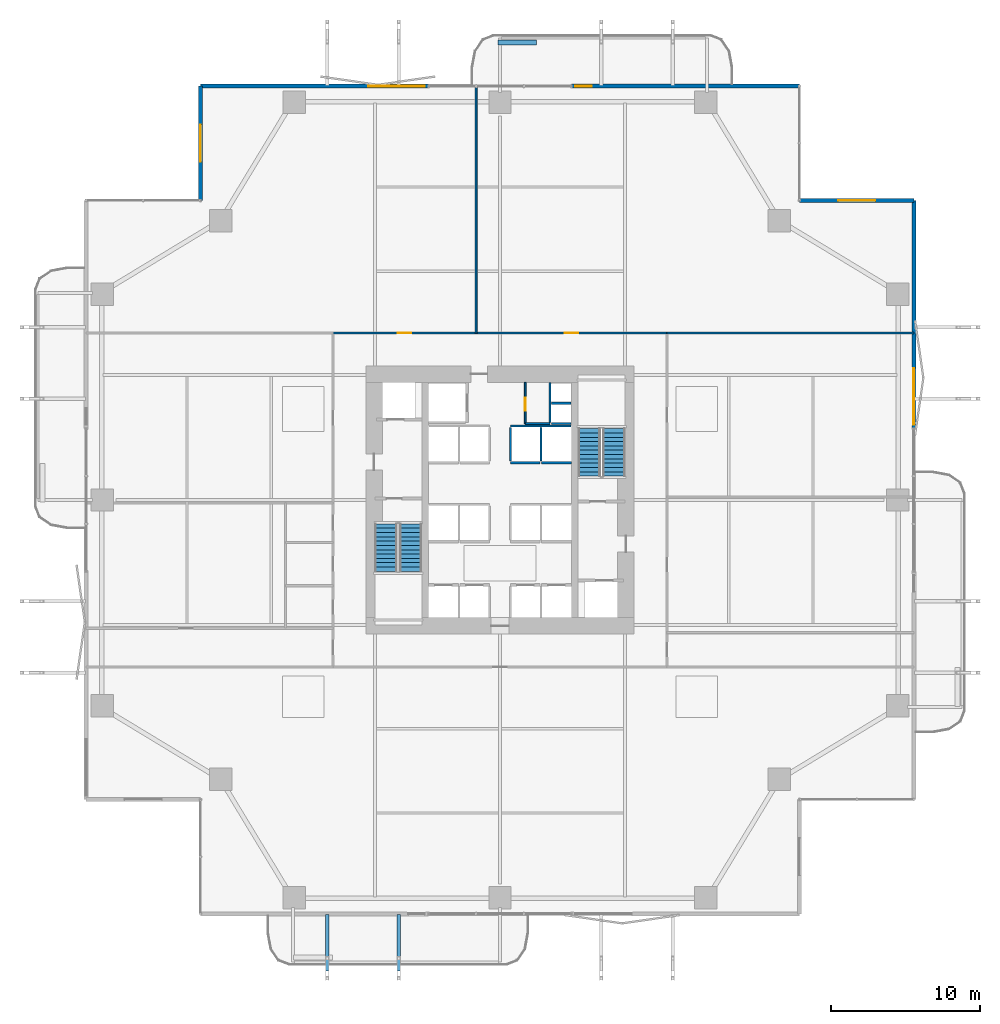
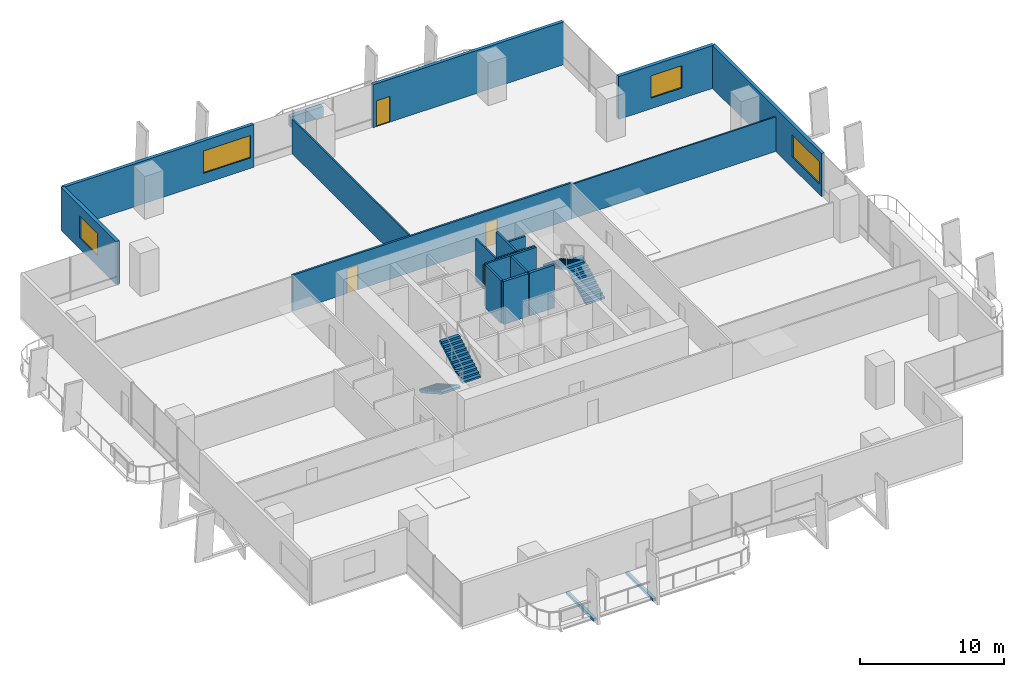
# One storey, part 26 of 30: 19 walls, 4 doors, 4 stair flights, 4 windows, 2 discrete accessories, 8 openings, 2 elements without a shape of their own.
"""IFC4 building model written with IfcOpenShell, lengths in metres."""

import ifcopenshell
import ifcopenshell.guid

model = None  # the IFC model being written
_history = None  # IfcOwnerHistory: only IFC2X3 demands one
_inside = {}  # id of a spatial element -> (the spatial element, [elements in it])
_under = {}  # id of a project, library or spatial element -> (it, [spatial elements below it])
_declared = {}  # id of a project -> (the project, [libraries it declares])
_typed = {}  # id of a type object -> (the type object, [elements of that type])
_made_of = {}  # id of a material, layer set ... -> (it, [elements and type objects made of it])


def new_model(schema):
    """Start an empty IFC model of exactly this schema.

    Asked for "IFC4X3", IfcOpenShell would pick the latest addendum, in which some entities
    have other attributes; the version numbers below select the first issue.
    IFC2X3 requires an IfcOwnerHistory on every rooted entity: one is made here for all.
    """
    global model, _history
    if schema == "IFC4X3":
        model = ifcopenshell.file(schema_version=(4, 3, 0, 0))
    else:
        model = ifcopenshell.file(schema=schema)
    _inside.clear()
    _under.clear()
    _declared.clear()
    _typed.clear()
    _made_of.clear()
    _history = None
    if model.schema == "IFC2X3":
        org = make("IfcOrganization", Name="unknown")
        user = make(
            "IfcPersonAndOrganization",
            ThePerson=make("IfcPerson", FamilyName="unknown"),
            TheOrganization=org,
        )
        app = make(
            "IfcApplication",
            ApplicationDeveloper=org,
            Version="unknown",
            ApplicationFullName="unknown",
            ApplicationIdentifier="unknown",
        )
        _history = make(
            "IfcOwnerHistory",
            OwningUser=user,
            OwningApplication=app,
            ChangeAction="ADDED",
            CreationDate=0,
        )
    return model


def make(cls, **values):
    """One entity of the class cls with the attributes given. An attribute that is None is left unset."""
    return model.create_entity(
        cls, **{name: value for name, value in values.items() if value is not None}
    )


def rooted(cls, **values):
    """An entity with a GlobalId (a new one), such as an element, a storey or a relation."""
    return make(cls, GlobalId=ifcopenshell.guid.new(), OwnerHistory=_history, **values)


def si_unit(unit_type, name, prefix=None):
    """IfcSIUnit, for example si_unit("LENGTHUNIT", "METRE", prefix="MILLI")."""
    return make("IfcSIUnit", UnitType=unit_type, Prefix=prefix, Name=name)


def assignment(units):
    """IfcUnitAssignment: the units of a project."""
    return None if units is None else make("IfcUnitAssignment", Units=units)


def point(xyz):
    """IfcCartesianPoint."""
    return None if xyz is None else make("IfcCartesianPoint", Coordinates=xyz)


def direction(xyz):
    """IfcDirection."""
    return None if xyz is None else make("IfcDirection", DirectionRatios=xyz)


def frame(location, z_axis=None, x_axis=None):
    """IfcAxis2Placement3D, a coordinate frame: its origin and axes. An axis left out is left unset."""
    return make(
        "IfcAxis2Placement3D",
        Location=point(location),
        Axis=direction(z_axis),
        RefDirection=direction(x_axis),
    )


def frame_2d(location, x_axis=None):
    """IfcAxis2Placement2D, a coordinate frame in the plane: its origin and x axis."""
    return make(
        "IfcAxis2Placement2D", Location=point(location), RefDirection=direction(x_axis)
    )


def origin():
    """The frame at (0, 0, 0) with its axes left unset."""
    return frame((0.0, 0.0, 0.0))


def origin_2d():
    """The frame at (0, 0) in the plane with its x axis left unset."""
    return frame_2d((0.0, 0.0))


def place(relative_to, where):
    """IfcLocalPlacement: puts the frame where relative to a parent placement (None: the world)."""
    return make(
        "IfcLocalPlacement", PlacementRelTo=relative_to, RelativePlacement=where
    )


def context(
    kind, dimensions, precision=None, world=None, true_north=None, identifier=None
):
    """IfcGeometricRepresentationContext, for example the 3D "Model" context."""
    return make(
        "IfcGeometricRepresentationContext",
        ContextIdentifier=identifier,
        ContextType=kind,
        CoordinateSpaceDimension=dimensions,
        Precision=precision,
        WorldCoordinateSystem=world,
        TrueNorth=true_north,
    )


def subcontext(parent, identifier, kind, view, scale=None):
    """IfcGeometricRepresentationSubContext, for example "Body" below "Model"."""
    return make(
        "IfcGeometricRepresentationSubContext",
        ContextIdentifier=identifier,
        ContextType=kind,
        ParentContext=parent,
        TargetScale=scale,
        TargetView=view,
    )


def project(units=None, contexts=None):
    """IfcProject with its units and contexts."""
    return rooted(
        "IfcProject",
        Name="project",
        RepresentationContexts=contexts,
        UnitsInContext=assignment(units),
    )


def spatial(cls, under=None, at=None, **own):
    """A site, building, storey or space (cls), placed at a placement, below another one or the project."""
    s = rooted(cls, ObjectPlacement=at, **own)
    if under is not None:
        _under.setdefault(under.id(), (under, []))[1].append(s)
    return s


def polyline(points):
    """IfcPolyline through the points."""
    return make("IfcPolyline", Points=[point(p) for p in points])


def profile(cls, at=None, kind="AREA", **sizes):
    """A parametric profile (cls). Its sizes go by their IFC names, for example OverallWidth=200.0."""
    return make(cls, ProfileType=kind, Position=at, **sizes)


def rectangle(**sizes):
    """IfcRectangleProfileDef."""
    return profile("IfcRectangleProfileDef", **sizes)


def outline(outer, holes=None, kind="AREA"):
    """IfcArbitraryClosedProfileDef: a profile drawn as a closed curve; with holes, ...WithVoids."""
    if holes is None:
        return make("IfcArbitraryClosedProfileDef", ProfileType=kind, OuterCurve=outer)
    return make(
        "IfcArbitraryProfileDefWithVoids",
        ProfileType=kind,
        OuterCurve=outer,
        InnerCurves=holes,
    )


def extrude(swept, where, along, depth):
    """IfcExtrudedAreaSolid: the profile swept, set in the frame where, extruded along a direction by depth."""
    return make(
        "IfcExtrudedAreaSolid",
        SweptArea=swept,
        Position=where,
        ExtrudedDirection=direction(along),
        Depth=depth,
    )


def shape(context_of_items, identifier, shape_type, items):
    """IfcShapeRepresentation: the items that make up one representation, for example the "Body"."""
    return make(
        "IfcShapeRepresentation",
        ContextOfItems=context_of_items,
        RepresentationIdentifier=identifier,
        RepresentationType=shape_type,
        Items=items,
    )


def material(Name=None, Category=None):
    """IfcMaterial."""
    return make("IfcMaterial", Name=Name, Category=Category)


def layer(
    of_material, thickness, ventilated=None, Name=None, Category=None, Priority=None
):
    """IfcMaterialLayer: one layer of a wall or slab, of a material (None: an air gap)."""
    return make(
        "IfcMaterialLayer",
        Material=of_material,
        LayerThickness=thickness,
        IsVentilated=ventilated,
        Name=Name,
        Category=Category,
        Priority=Priority,
    )


def layer_set(layers, Name=None):
    """IfcMaterialLayerSet."""
    return make("IfcMaterialLayerSet", MaterialLayers=layers, LayerSetName=Name)


def made_of(thing, what):
    """Note that an element or type object is made of a material, layer set ...; save() writes the relation."""
    if what is not None:
        _made_of.setdefault(what.id(), (what, []))[1].append(thing)
    return thing


def type_object(cls, material=None, **own):
    """A type object (cls), such as IfcWallType, which elements share."""
    return made_of(rooted(cls, **own), material)


def element(
    cls,
    number,
    at=None,
    inside=None,
    cuts=None,
    type_object=None,
    material=None,
    context=None,
    identifier="Body",
    shape_type=None,
    held_by="IfcProductDefinitionShape",
    body=None,
    shapes=None,
    **own,
):
    """One element of the class cls, such as IfcWall. Its Tag is "e" and its number.

    at: its placement. inside: the storey or other place that contains it. cuts: it is an
    opening in that element (IfcRelVoidsElement). A single representation is given by context,
    identifier, shape_type and body (its items); several are given by shapes. held_by: the class
    of the entity that holds the representations. save() writes the other relations.
    """
    e = rooted(cls, Tag="e%d" % number, ObjectPlacement=at, **own)
    if body is not None:
        shapes = [shape(context, identifier, shape_type, body)]
    if shapes is not None:
        e.Representation = make(held_by, Representations=shapes)
    if inside is not None:
        _inside.setdefault(inside.id(), (inside, []))[1].append(e)
    if cuts is not None:
        rooted(
            "IfcRelVoidsElement", RelatingBuildingElement=cuts, RelatedOpeningElement=e
        )
    if type_object is not None:
        _typed.setdefault(type_object.id(), (type_object, []))[1].append(e)
    return made_of(e, material)


def fill(opening, filler):
    """IfcRelFillsElement: the door or window that sits in an opening."""
    return rooted(
        "IfcRelFillsElement",
        RelatingOpeningElement=opening,
        RelatedBuildingElement=filler,
    )


def aggregate(whole, parts):
    """IfcRelAggregates: a whole, such as a stair, and the parts it consists of."""
    return rooted("IfcRelAggregates", RelatingObject=whole, RelatedObjects=parts)


def save(model, path):
    """Write the relations noted so far, then the file.

    IfcRelAggregates (storeys below a building ...), IfcRelContainedInSpatialStructure (elements
    in a storey), IfcRelDefinesByType, IfcRelAssociatesMaterial and IfcRelDeclares: one each for
    every whole, place, type object, material and project.
    """
    for whole, parts in _under.values():
        aggregate(whole, parts)
    for where, things in _inside.values():
        rooted(
            "IfcRelContainedInSpatialStructure",
            RelatedElements=things,
            RelatingStructure=where,
        )
    for kind, things in _typed.values():
        rooted("IfcRelDefinesByType", RelatedObjects=things, RelatingType=kind)
    for what, things in _made_of.values():
        rooted("IfcRelAssociatesMaterial", RelatedObjects=things, RelatingMaterial=what)
    for by, libraries in _declared.values():
        rooted("IfcRelDeclares", RelatingContext=by, RelatedDefinitions=libraries)
    model.write(path)


model = new_model("IFC4")

# Units and contexts
model_context = context("Model", 3, precision=1e-05, world=origin(), true_north=direction((0.0, 1.0)))
body_context = subcontext(model_context, "Body", "Model", "MODEL_VIEW")
ifc_project = project(units=[si_unit("LENGTHUNIT", "METRE"), si_unit("AREAUNIT", "SQUARE_METRE"), si_unit("VOLUMEUNIT", "CUBIC_METRE"), si_unit("PLANEANGLEUNIT", "RADIAN"), si_unit("MASSUNIT", "GRAM", prefix="KILO")], contexts=[model_context])

# Site, building, storey
site_placement = place(None, origin())
site = spatial("IfcSite", under=ifc_project, at=site_placement, CompositionType="ELEMENT")
building_placement = place(site_placement, origin())
building = spatial("IfcBuilding", under=site, at=building_placement, Name="Belovzor Exchange Tower", CompositionType="ELEMENT")
storey_placement = place(building_placement, frame((0.0, 0.0, 30.0)))
storey = spatial("IfcBuildingStorey", under=building, at=storey_placement, Name="L06", CompositionType="ELEMENT", Elevation=30.0)

# Walls
ifc_material_1 = material(Name="Acoustic Plasterboard on Galvanised Studs", Category="gypsum")
ifc_layer_1 = layer(ifc_material_1, 0.1201171875)
ifc_layer_set_1 = layer_set([ifc_layer_1], Name="Acoustic Plasterboard on Galvanised Studs")
wall_type_1 = type_object("IfcWallType", Name="Acoustic Double-Stud Partition Wall 120", PredefinedType="PARTITIONING", material=ifc_layer_set_1)
for number, where, z_axis, x_axis, name in (
    (1, (27.197998046875, 40.0, 0.0), (0.0, 0.0, 1.0), (0.0, 1.0, 0.0), "W-P120 Partition Wall W-L06-NDIV-1"),
    (2, (40.0, 40.0, 0.0), (0.0, 0.0, 1.0), (1.0, 0.0, 0.0), "W-P120 Partition Wall W-L06-END-NE"),
):
    element("IfcWall", number, at=place(storey_placement, frame(where, z_axis=z_axis, x_axis=x_axis)), inside=storey, type_object=wall_type_1, Name=name, PredefinedType="PARTITIONING", context=body_context, shape_type="SweptSolid", body=[
        extrude(rectangle(XDim=16.570068359375, YDim=0.1201171875, at=frame_2d((8.28515625, 0.0))), origin(), (0.0, 0.0, 1.0), 2.93505859375),
    ])

# Wall, opening, door
ifc_material_2 = material(Name="Fire-Rated Plasterboard on Galvanised Studs", Category="gypsum")
ifc_layer_2 = layer(ifc_material_2, 0.1201171875)
ifc_layer_set_2 = layer_set([ifc_layer_2], Name="Fire-Rated Plasterboard on Galvanised Studs")
wall_type_2 = type_object("IfcWallType", Name="Fire-Rated Double-Stud Partition Wall 120", PredefinedType="PARTITIONING", material=ifc_layer_set_2)
wall_1_placement = place(storey_placement, frame((30.5, 33.925048828125, 0.0), z_axis=(0.0, 0.0, 1.0), x_axis=(0.0, 1.0, 0.0)))
wall_1 = element("IfcWall", 3, at=wall_1_placement, inside=storey, type_object=wall_type_2, Name="W-P120F Partition Wall W-CRV-L06-W", PredefinedType="PARTITIONING", context=body_context, shape_type="SweptSolid", body=[
    extrude(rectangle(XDim=2.77490234375, YDim=0.1201171875, at=frame_2d((1.387451171875, 0.0))), origin(), (0.0, 0.0, 1.0), 3.64990234375),
])
opening_1_placement = place(wall_1_placement, frame((0.85009765625, 0.0, 0.0)))
opening_1 = element("IfcOpeningElement", 4, at=opening_1_placement, cuts=wall_1, Name="Opening D-FD60-090", PredefinedType="OPENING", context=body_context, shape_type="SweptSolid", body=[
    extrude(rectangle(XDim=0.89990234375, YDim=2.10009765625, at=frame_2d((0.449951171875, 1.050048828125))), frame((0.0, 0.070068359375, 0.0), z_axis=(0.0, -1.0, 0.0), x_axis=(1.0, 0.0, 0.0)), (0.0, 0.0, 1.0), 0.14013671875),
])
ifc_material_3 = material(Name="Acoustic Timber Fire Leaf", Category="wood")
door_type_1 = type_object("IfcDoorType", Name="Core Service & Restroom Fire Door 900x2100", OperationType="NOTDEFINED", PredefinedType="DOOR", material=ifc_material_3)
door_1_placement = place(opening_1_placement, origin())
door_1 = element("IfcDoor", 5, at=door_1_placement, inside=storey, type_object=door_type_1, Name="D-FD60-090 Core Service & Restroom Fire Door 900x2100", OperationType="SINGLE_SWING_LEFT", OverallHeight=2.10009765625, OverallWidth=0.89990234375, PredefinedType="DOOR", context=body_context, shape_type="SweptSolid", body=[
    extrude(rectangle(XDim=0.89990234375, YDim=2.10009765625, at=frame_2d((0.449951171875, 1.050048828125))), frame((0.0, 0.02490234375, 0.0), z_axis=(0.0, -1.0, 0.0), x_axis=(1.0, 0.0, 0.0)), (0.0, 0.0, 1.0), 0.050048828125),
])
fill(opening_1, door_1)

# Wall
wall_2_placement = place(storey_placement, frame((30.5, 33.925048828125, 0.0), z_axis=(0.0, 0.0, 1.0), x_axis=(1.0, 0.0, 0.0)))
element("IfcWall", 6, at=wall_2_placement, inside=storey, type_object=wall_type_2, Name="W-P120F Partition Wall W-CRV-L06-S", PredefinedType="PARTITIONING", context=body_context, shape_type="SweptSolid", body=[
    extrude(rectangle(XDim=1.64990234375, YDim=0.1201171875, at=frame_2d((0.824951171875, 0.0))), origin(), (0.0, 0.0, 1.0), 3.64990234375),
])

# Wall, openings, doors
ifc_material_4 = material(Name="Fire-Rated Gypsum Block and Mineral Wool", Category="gypsum")
ifc_layer_3 = layer(ifc_material_4, 0.14990234375)
ifc_layer_set_3 = layer_set([ifc_layer_3], Name="Fire-Rated Gypsum Block and Mineral Wool")
wall_type_3 = type_object("IfcWallType", Name="Fire-Rated Gypsum Block Corridor Wall 150", PredefinedType="PARTITIONING", material=ifc_layer_set_3)
wall_3_placement = place(storey_placement, frame((17.60009765625, 40.0, 0.0), z_axis=(0.0, 0.0, 1.0), x_axis=(1.0, 0.0, 0.0)))
wall_3 = element("IfcWall", 7, at=wall_3_placement, inside=storey, type_object=wall_type_3, Name="W-P150 Partition Wall W-L06-CN", PredefinedType="PARTITIONING", context=body_context, shape_type="SweptSolid", body=[
    extrude(rectangle(XDim=22.39990234375, YDim=0.14990234375, at=frame_2d((11.199951171875, 0.0))), origin(), (0.0, 0.0, 1.0), 3.0849609375),
])
opening_2_placement = place(wall_3_placement, frame((4.34912109375, 0.0, 0.0)))
opening_2 = element("IfcOpeningElement", 8, at=opening_2_placement, cuts=wall_3, Name="Opening D-INT-090", PredefinedType="OPENING", context=body_context, shape_type="SweptSolid", body=[
    extrude(rectangle(XDim=0.89990234375, YDim=2.10009765625, at=frame_2d((0.449951171875, 1.050048828125))), frame((0.0, 0.0849609375, 0.0), z_axis=(0.0, -1.0, 0.0), x_axis=(1.0, 0.0, 0.0)), (0.0, 0.0, 1.0), 0.169921875),
])
opening_3_placement = place(wall_3_placement, frame((15.549072265625, 0.0, 0.0)))
opening_3 = element("IfcOpeningElement", 9, at=opening_3_placement, cuts=wall_3, Name="Opening D-INT-090", PredefinedType="OPENING", context=body_context, shape_type="SweptSolid", body=[
    extrude(rectangle(XDim=0.89990234375, YDim=2.10009765625, at=frame_2d((0.449951171875, 1.050048828125))), frame((0.0, 0.0849609375, 0.0), z_axis=(0.0, -1.0, 0.0), x_axis=(1.0, 0.0, 0.0)), (0.0, 0.0, 1.0), 0.169921875),
])
ifc_material_5 = material(Name="Veneered Hardwood Acoustic Leaf", Category="wood")
door_type_2 = type_object("IfcDoorType", Name="Trading Suite Acoustic Single Door 900x2100", OperationType="NOTDEFINED", PredefinedType="DOOR", material=ifc_material_5)
door_2_placement = place(opening_2_placement, origin())
door_2 = element("IfcDoor", 10, at=door_2_placement, inside=storey, type_object=door_type_2, Name="D-INT-090 Trading Suite Acoustic Single Door 900x2100", OperationType="SINGLE_SWING_RIGHT", OverallHeight=2.10009765625, OverallWidth=0.89990234375, PredefinedType="DOOR", context=body_context, shape_type="SweptSolid", body=[
    extrude(rectangle(XDim=0.89990234375, YDim=2.10009765625, at=frame_2d((0.449951171875, 1.050048828125))), frame((0.0, 0.02490234375, 0.0), z_axis=(0.0, -1.0, 0.0), x_axis=(1.0, 0.0, 0.0)), (0.0, 0.0, 1.0), 0.050048828125),
])
fill(opening_2, door_2)
door_3_placement = place(opening_3_placement, origin())
door_3 = element("IfcDoor", 11, at=door_3_placement, inside=storey, type_object=door_type_2, Name="D-INT-090 Trading Suite Acoustic Single Door 900x2100", OperationType="SINGLE_SWING_LEFT", OverallHeight=2.10009765625, OverallWidth=0.89990234375, PredefinedType="DOOR", context=body_context, shape_type="SweptSolid", body=[
    extrude(rectangle(XDim=0.89990234375, YDim=2.10009765625, at=frame_2d((0.449951171875, 1.050048828125))), frame((0.0, 0.02490234375, 0.0), z_axis=(0.0, -1.0, 0.0), x_axis=(1.0, 0.0, 0.0)), (0.0, 0.0, 1.0), 0.050048828125),
])
fill(opening_3, door_3)

# Wall, opening, window
ifc_material_6 = material(Name="Precast concrete C40/50", Category="concrete")
ifc_layer_4 = layer(ifc_material_6, 0.280029296875)
ifc_layer_set_4 = layer_set([ifc_layer_4], Name="Precast concrete C40/50")
wall_type_4 = type_object("IfcWallType", Name="Precast Concrete Notched Corner Frame Wall 280", PredefinedType="SOLIDWALL", material=ifc_layer_set_4)
wall_4_placement = place(storey_placement, frame((8.699951171875, 48.89990234375, 0.0), z_axis=(0.0, 0.0, 1.0), x_axis=(0.0, 1.0, 0.0)))
wall_4 = element("IfcWall", 12, at=wall_4_placement, inside=storey, type_object=wall_type_4, Name="W-CRN280 Precast Concrete Notched Corner Frame Wall 280 L06", PredefinedType="SOLIDWALL", context=body_context, shape_type="SweptSolid", body=[
    extrude(rectangle(XDim=7.670166015625, YDim=0.280029296875, at=frame_2d((3.8349609375, 0.0))), origin(), (0.0, 0.0, 1.0), 3.64990234375),
])
opening_4_placement = place(wall_4_placement, frame((2.5849609375, 0.0, 0.89990234375)))
opening_4 = element("IfcOpeningElement", 13, at=opening_4_placement, cuts=wall_4, Name="Opening WN-CRN250", PredefinedType="OPENING", context=body_context, shape_type="SweptSolid", body=[
    extrude(rectangle(XDim=2.5, YDim=1.89990234375, at=frame_2d((1.25, 0.949951171875))), frame((0.0, 0.14990234375, 0.0), z_axis=(0.0, -1.0, 0.0), x_axis=(1.0, 0.0, 0.0)), (0.0, 0.0, 1.0), 0.300048828125),
])
ifc_material_7 = material(Name="Thermally Broken Aluminium and Triple Glazing", Category="aluminium")
window_type_1 = type_object("IfcWindowType", Name="Streamline Moderne Corner Wrap Ribbon Window 2500x1900", PartitioningType="SINGLE_PANEL", PredefinedType="WINDOW", material=ifc_material_7)
window_1_placement = place(opening_4_placement, origin())
window_1 = element("IfcWindow", 14, at=window_1_placement, inside=storey, type_object=window_type_1, Name="WN-CRN250 Streamline Moderne Corner Wrap Ribbon Window 2500x1900", OverallHeight=1.89990234375, OverallWidth=2.5, PartitioningType="SINGLE_PANEL", PredefinedType="WINDOW", context=body_context, shape_type="SweptSolid", body=[
    extrude(rectangle(XDim=2.5, YDim=1.89990234375, at=frame_2d((1.25, 0.949951171875))), frame((0.0, 0.030029296875, 0.0), z_axis=(0.0, -1.0, 0.0), x_axis=(1.0, 0.0, 0.0)), (0.0, 0.0, 1.0), 0.06005859375),
])
fill(opening_4, window_1)

wall_5_placement = place(storey_placement, frame((48.89990234375, 48.89990234375, 0.0), z_axis=(0.0, 0.0, 1.0), x_axis=(1.0, 0.0, 0.0)))
wall_5 = element("IfcWall", 15, at=wall_5_placement, inside=storey, type_object=wall_type_4, Name="W-CRN280 Precast Concrete Notched Corner Frame Wall 280 L06", PredefinedType="SOLIDWALL", context=body_context, shape_type="SweptSolid", body=[
    extrude(rectangle(XDim=7.670166015625, YDim=0.280029296875, at=frame_2d((3.8349609375, 0.0))), origin(), (0.0, 0.0, 1.0), 3.64990234375),
])
opening_5_placement = place(wall_5_placement, frame((2.5849609375, 0.0, 0.89990234375)))
opening_5 = element("IfcOpeningElement", 16, at=opening_5_placement, cuts=wall_5, Name="Opening WN-CRN250", PredefinedType="OPENING", context=body_context, shape_type="SweptSolid", body=[
    extrude(rectangle(XDim=2.5, YDim=1.89990234375, at=frame_2d((1.25, 0.949951171875))), frame((0.0, 0.14990234375, 0.0), z_axis=(0.0, -1.0, 0.0), x_axis=(1.0, 0.0, 0.0)), (0.0, 0.0, 1.0), 0.300048828125),
])
window_2_placement = place(opening_5_placement, origin())
window_2 = element("IfcWindow", 17, at=window_2_placement, inside=storey, type_object=window_type_1, Name="WN-CRN250 Streamline Moderne Corner Wrap Ribbon Window 2500x1900", OverallHeight=1.89990234375, OverallWidth=2.5, PartitioningType="SINGLE_PANEL", PredefinedType="WINDOW", context=body_context, shape_type="SweptSolid", body=[
    extrude(rectangle(XDim=2.5, YDim=1.89990234375, at=frame_2d((1.25, 0.949951171875))), frame((0.0, 0.030029296875, 0.0), z_axis=(0.0, -1.0, 0.0), x_axis=(1.0, 0.0, 0.0)), (0.0, 0.0, 1.0), 0.06005859375),
])
fill(opening_5, window_2)

ifc_material_8 = material(Name="Precast concrete C40/50", Category="concrete")
ifc_layer_5 = layer(ifc_material_8, 0.260009765625)
ifc_layer_set_5 = layer_set([ifc_layer_5], Name="Precast concrete C40/50")
wall_type_5 = type_object("IfcWallType", Name="Precast Concrete Perimeter Loggia Frame Wall 260", PredefinedType="SOLIDWALL", material=ifc_layer_set_5)
wall_6_placement = place(storey_placement, frame((8.699951171875, 56.570068359375, 0.0), z_axis=(0.0, 0.0, 1.0), x_axis=(1.0, 0.0, 0.0)))
wall_6 = element("IfcWall", 18, at=wall_6_placement, inside=storey, type_object=wall_type_5, Name="W-EXT260 Precast Concrete Perimeter Loggia Frame Wall 260 L06", PredefinedType="SOLIDWALL", context=body_context, shape_type="SweptSolid", body=[
    extrude(rectangle(XDim=15.300048828125, YDim=0.260009765625, at=frame_2d((7.64990234375, 0.0))), origin(), (0.0, 0.0, 1.0), 3.64990234375),
])
opening_6_placement = place(wall_6_placement, frame((11.25, 0.0, 0.89990234375)))
opening_6 = element("IfcOpeningElement", 19, at=opening_6_placement, cuts=wall_6, Name="Opening WN-RIB380", PredefinedType="OPENING", context=body_context, shape_type="SweptSolid", body=[
    extrude(rectangle(XDim=3.800048828125, YDim=1.89990234375, at=frame_2d((1.89990234375, 0.949951171875))), frame((0.0, 0.139892578125, 0.0), z_axis=(0.0, -1.0, 0.0), x_axis=(1.0, 0.0, 0.0)), (0.0, 0.0, 1.0), 0.280029296875),
])
ifc_material_9 = material(Name="Thermally Broken Aluminium and Triple Glazing", Category="aluminium")
window_type_2 = type_object("IfcWindowType", Name="Streamline Moderne Horizontal Ribbon Window 3800x1900", PartitioningType="SINGLE_PANEL", PredefinedType="WINDOW", material=ifc_material_9)
window_3_placement = place(opening_6_placement, origin())
window_3 = element("IfcWindow", 20, at=window_3_placement, inside=storey, type_object=window_type_2, Name="WN-RIB380 Streamline Moderne Horizontal Ribbon Window 3800x1900", OverallHeight=1.89990234375, OverallWidth=3.800048828125, PartitioningType="SINGLE_PANEL", PredefinedType="WINDOW", context=body_context, shape_type="SweptSolid", body=[
    extrude(rectangle(XDim=3.800048828125, YDim=1.89990234375, at=frame_2d((1.89990234375, 0.949951171875))), frame((0.0, 0.030029296875, 0.0), z_axis=(0.0, -1.0, 0.0), x_axis=(1.0, 0.0, 0.0)), (0.0, 0.0, 1.0), 0.06005859375),
])
fill(opening_6, window_3)

# Wall, opening, door
wall_7_placement = place(storey_placement, frame((33.60009765625, 56.570068359375, 0.0), z_axis=(0.0, 0.0, 1.0), x_axis=(1.0, 0.0, 0.0)))
wall_7 = element("IfcWall", 21, at=wall_7_placement, inside=storey, type_object=wall_type_5, Name="W-EXT260 Precast Concrete Perimeter Loggia Frame Wall 260 L06", PredefinedType="SOLIDWALL", context=body_context, shape_type="SweptSolid", body=[
    extrude(rectangle(XDim=15.2998046875, YDim=0.260009765625, at=frame_2d((7.64990234375, 0.0))), origin(), (0.0, 0.0, 1.0), 3.64990234375),
])
opening_7_placement = place(wall_7_placement, frame((0.25, 0.0, 0.0)))
opening_7 = element("IfcOpeningElement", 22, at=opening_7_placement, cuts=wall_7, Name="Opening D-BAL110", PredefinedType="OPENING", context=body_context, shape_type="SweptSolid", body=[
    extrude(rectangle(XDim=1.10009765625, YDim=2.199951171875, at=frame_2d((0.550048828125, 1.10009765625))), frame((0.0, 0.139892578125, 0.0), z_axis=(0.0, -1.0, 0.0), x_axis=(1.0, 0.0, 0.0)), (0.0, 0.0, 1.0), 0.280029296875),
])
ifc_material_10 = material(Name="Thermally Broken Anodised Aluminium and Laminated Glass", Category="aluminium")
door_type_3 = type_object("IfcDoorType", Name="Planted Loggia Terrace Glazed Door 1100x2200", OperationType="SINGLE_SWING_LEFT", PredefinedType="DOOR", material=ifc_material_10)
door_4_placement = place(opening_7_placement, origin())
door_4 = element("IfcDoor", 23, at=door_4_placement, inside=storey, type_object=door_type_3, Name="D-BAL110 Balcony Terrace Door L06 N", OperationType="SINGLE_SWING_RIGHT", OverallHeight=2.199951171875, OverallWidth=1.10009765625, PredefinedType="DOOR", context=body_context, shape_type="SweptSolid", body=[
    extrude(rectangle(XDim=1.10009765625, YDim=2.199951171875, at=frame_2d((0.550048828125, 1.10009765625))), frame((0.0, 0.02490234375, 0.0), z_axis=(0.0, -1.0, 0.0), x_axis=(1.0, 0.0, 0.0)), (0.0, 0.0, 1.0), 0.050048828125),
])
fill(opening_7, door_4)

# Wall, opening, window
wall_8_placement = place(storey_placement, frame((56.570068359375, 48.89990234375, 0.0), z_axis=(0.0, 0.0, 1.0), x_axis=(0.0, -1.0, 0.0)))
wall_8 = element("IfcWall", 24, at=wall_8_placement, inside=storey, type_object=wall_type_5, Name="W-EXT260 Precast Concrete Perimeter Loggia Frame Wall 260 L06", PredefinedType="SOLIDWALL", context=body_context, shape_type="SweptSolid", body=[
    extrude(rectangle(XDim=15.2998046875, YDim=0.260009765625, at=frame_2d((7.64990234375, 0.0))), origin(), (0.0, 0.0, 1.0), 3.64990234375),
])
opening_8_placement = place(wall_8_placement, frame((11.25, 0.0, 0.89990234375)))
opening_8 = element("IfcOpeningElement", 25, at=opening_8_placement, cuts=wall_8, Name="Opening WN-RIB380", PredefinedType="OPENING", context=body_context, shape_type="SweptSolid", body=[
    extrude(rectangle(XDim=3.800048828125, YDim=1.89990234375, at=frame_2d((1.89990234375, 0.949951171875))), frame((0.0, 0.139892578125, 0.0), z_axis=(0.0, -1.0, 0.0), x_axis=(1.0, 0.0, 0.0)), (0.0, 0.0, 1.0), 0.280029296875),
])
window_4_placement = place(opening_8_placement, origin())
window_4 = element("IfcWindow", 26, at=window_4_placement, inside=storey, type_object=window_type_2, Name="WN-RIB380 Streamline Moderne Horizontal Ribbon Window 3800x1900", OverallHeight=1.89990234375, OverallWidth=3.800048828125, PartitioningType="SINGLE_PANEL", PredefinedType="WINDOW", context=body_context, shape_type="SweptSolid", body=[
    extrude(rectangle(XDim=3.800048828125, YDim=1.89990234375, at=frame_2d((1.89990234375, 0.949951171875))), frame((0.0, 0.030029296875, 0.0), z_axis=(0.0, -1.0, 0.0), x_axis=(1.0, 0.0, 0.0)), (0.0, 0.0, 1.0), 0.06005859375),
])
fill(opening_8, window_4)

# Walls
ifc_material_11 = material(Name="Precast concrete C40/50", Category="concrete")
ifc_layer_6 = layer(ifc_material_11, 0.35009765625)
ifc_layer_set_6 = layer_set([ifc_layer_6], Name="Precast concrete C40/50")
wall_type_6 = type_object("IfcWallType", Name="Precast Concrete Structural Tree Planter Trough 350", PredefinedType="PARAPET", material=ifc_layer_set_6)
wall_9_placement = place(storey_placement, frame((28.64990234375, 59.5, 0.0), z_axis=(0.0, 0.0, 1.0), x_axis=(1.0, 0.0, 0.0)))
element("IfcWall", 27, at=wall_9_placement, inside=storey, type_object=wall_type_6, Name="PT-350 Precast Concrete Structural Tree Planter Trough 350 L06", PredefinedType="PARAPET", context=body_context, shape_type="SweptSolid", body=[
    extrude(rectangle(XDim=2.60009765625, YDim=0.35009765625, at=frame_2d((1.300048828125, 0.0))), origin(), (0.0, 0.0, 1.0), 0.89990234375),
])
ifc_material_12 = material(Name="Concrete C50/60", Category="concrete")
ifc_layer_7 = layer(ifc_material_12, 0.14990234375)
ifc_layer_set_7 = layer_set([ifc_layer_7], Name="Concrete C50/60")
wall_type_7 = type_object("IfcWallType", Name="Reinforced Concrete Core Riser Shear Wall 150", PredefinedType="SHEAR", material=ifc_layer_set_7)
wall_10_placement = place(storey_placement, frame((32.14990234375, 34.0, 0.0), z_axis=(0.0, 0.0, 1.0), x_axis=(0.0, 1.0, 0.0)))
element("IfcWall", 28, at=wall_10_placement, inside=storey, type_object=wall_type_7, Name="W-C150S Core Shaft Wall W-RSR-L06-E", PredefinedType="SHEAR", context=body_context, shape_type="SweptSolid", body=[
    extrude(rectangle(XDim=2.699951171875, YDim=0.14990234375, at=frame_2d((1.35009765625, 0.0))), origin(), (0.0, 0.0, 1.0), 3.64990234375),
])
for number, where, z_axis, x_axis, name in (
    (29, (32.25, 33.925048828125, 0.0), (0.0, 0.0, 1.0), (1.0, 0.0, 0.0), "W-C150S Core Shaft Wall W-RSR-L06-S"),
    (30, (32.25, 35.300048828125, 0.0), (0.0, 0.0, 1.0), (1.0, 0.0, 0.0), "W-C150S Core Shaft Wall W-RSR-L06-M"),
):
    element("IfcWall", number, at=place(storey_placement, frame(where, z_axis=z_axis, x_axis=x_axis)), inside=storey, type_object=wall_type_7, Name=name, PredefinedType="SHEAR", context=body_context, shape_type="SweptSolid", body=[
        extrude(rectangle(XDim=1.330078125, YDim=0.14990234375, at=frame_2d((0.6650390625, 0.0))), origin(), (0.0, 0.0, 1.0), 3.64990234375),
    ])
wall_11_placement = place(storey_placement, frame((29.5, 33.760009765625, 0.0), z_axis=(0.0, 0.0, 1.0), x_axis=(1.0, 0.0, 0.0)))
element("IfcWall", 31, at=wall_11_placement, inside=storey, type_object=wall_type_7, Name="W-C150S Core Shaft Wall W-SHB-L06-PLH-NE", PredefinedType="SHEAR", context=body_context, shape_type="SweptSolid", body=[
    extrude(rectangle(XDim=4.080078125, YDim=0.14990234375, at=frame_2d((2.0400390625, 0.0))), origin(), (0.0, 0.0, 1.0), 3.64990234375),
])
for number, where, z_axis, x_axis, name in (
    (32, (29.5, 31.419921875, 0.0), (0.0, 0.0, 1.0), (0.0, 1.0, 0.0), "W-C150S Core Shaft Wall W-SHD-L06-PLH-3"),
    (33, (31.550048828125, 31.419921875, 0.0), (0.0, 0.0, 1.0), (0.0, 1.0, 0.0), "W-C150S Core Shaft Wall W-SHD-L06-PLH-4"),
):
    element("IfcWall", number, at=place(storey_placement, frame(where, z_axis=z_axis, x_axis=x_axis)), inside=storey, type_object=wall_type_7, Name=name, PredefinedType="SHEAR", context=body_context, shape_type="SweptSolid", body=[
        extrude(rectangle(XDim=2.239990234375, YDim=0.14990234375, at=frame_2d((1.1201171875, 0.0))), origin(), (0.0, 0.0, 1.0), 3.64990234375),
    ])
ifc_material_13 = material(Name="Concrete C50/60", Category="concrete")
ifc_layer_8 = layer(ifc_material_13, 0.199951171875)
ifc_layer_set_8 = layer_set([ifc_layer_8], Name="Concrete C50/60")
wall_type_8 = type_object("IfcWallType", Name="Reinforced Concrete Core Shaft Shear Wall 200", PredefinedType="SHEAR", material=ifc_layer_set_8)
for number, where, z_axis, x_axis, name in (
    (34, (29.5, 31.300048828125, 0.0), (0.0, 0.0, 1.0), (1.0, 0.0, 0.0), "W-C200S Core Shaft Wall W-SH-L06-PL-H3"),
    (35, (31.60009765625, 31.300048828125, 0.0), (0.0, 0.0, 1.0), (1.0, 0.0, 0.0), "W-C200S Core Shaft Wall W-SH-L06-PL-H4"),
):
    element("IfcWall", number, at=place(storey_placement, frame(where, z_axis=z_axis, x_axis=x_axis)), inside=storey, type_object=wall_type_8, Name=name, PredefinedType="SHEAR", context=body_context, shape_type="SweptSolid", body=[
        extrude(rectangle(XDim=2.0, YDim=0.199951171875, at=frame_2d((1.0, 0.0))), origin(), (0.0, 0.0, 1.0), 3.64990234375),
    ])

# Stair, stair flights
ifc_material_14 = material(Name="Concrete C40/50", Category="concrete")
stair_type = type_object("IfcStairType", Name="Reinforced Concrete Dogleg Escape Stair 1350", PredefinedType="HALF_TURN_STAIR", material=ifc_material_14)
stair_1_placement = place(storey_placement, origin())
stair_1 = element("IfcStair", 36, at=stair_1_placement, inside=storey, type_object=stair_type, Name="L06 ST-1", PredefinedType="HALF_TURN_STAIR")
ifc_material_15 = material(Name="Concrete C40/50", Category="concrete")
stair_flight_type = type_object("IfcStairFlightType", Name="Reinforced Concrete Stair Flight 1350", PredefinedType="STRAIGHT", material=ifc_material_15)
stair_flight_1_placement = place(storey_placement, frame((21.14990234375, 27.199951171875, 0.0), z_axis=(0.0, 0.0, 1.0), x_axis=(0.0, -1.0, 0.0)))
stair_flight_1 = element("IfcStairFlight", 37, at=stair_flight_1_placement, type_object=stair_flight_type, Name="ST-1 flight 1", NumberOfRisers=12, NumberOfTreads=11, PredefinedType="STRAIGHT", RiserHeight=0.1625, TreadLength=0.29, context=body_context, shape_type="SweptSolid", body=[
    extrude(outline(polyline([(0.0, 0.0), (0.0, 0.16259765625), (0.2900390625, 0.16259765625), (0.2900390625, 0.324951171875), (0.580078125, 0.324951171875), (0.580078125, 0.487548828125), (0.8701171875, 0.487548828125), (0.8701171875, 0.64990234375), (1.159912109375, 0.64990234375), (1.159912109375, 0.8125), (1.449951171875, 0.8125), (1.449951171875, 0.97509765625), (1.739990234375, 0.97509765625), (1.739990234375, 1.137451171875), (2.030029296875, 1.137451171875), (2.030029296875, 1.300048828125), (2.320068359375, 1.300048828125), (2.320068359375, 1.46240234375), (2.610107421875, 1.46240234375), (2.610107421875, 1.625), (2.89990234375, 1.625), (2.89990234375, 1.78759765625), (3.18994140625, 1.78759765625), (3.18994140625, 1.949951171875), (3.18994140625, 1.61572265625), (0.306640625, 0.0), (0.0, 0.0)])), frame((0.0, 0.75, 0.0), z_axis=(0.0, -1.0, 0.0), x_axis=(1.0, 0.0, 0.0)), (0.0, 0.0, 1.0), 1.5),
])
stair_flight_2_placement = place(storey_placement, frame((22.800048828125, 24.010009765625, 1.949951171875), z_axis=(0.0, 0.0, 1.0), x_axis=(0.0, 1.0, 0.0)))
stair_flight_2 = element("IfcStairFlight", 38, at=stair_flight_2_placement, type_object=stair_flight_type, Name="ST-1 flight 2", NumberOfRisers=12, NumberOfTreads=11, PredefinedType="STRAIGHT", RiserHeight=0.1625, TreadLength=0.29, context=body_context, shape_type="SweptSolid", body=[
    extrude(outline(polyline([(0.0, 0.0), (0.0, 0.16259765625), (0.2900390625, 0.16259765625), (0.2900390625, 0.324951171875), (0.580078125, 0.324951171875), (0.580078125, 0.487548828125), (0.8701171875, 0.487548828125), (0.8701171875, 0.64990234375), (1.159912109375, 0.64990234375), (1.159912109375, 0.8125), (1.449951171875, 0.8125), (1.449951171875, 0.97509765625), (1.739990234375, 0.97509765625), (1.739990234375, 1.137451171875), (2.030029296875, 1.137451171875), (2.030029296875, 1.300048828125), (2.320068359375, 1.300048828125), (2.320068359375, 1.46240234375), (2.610107421875, 1.46240234375), (2.610107421875, 1.625), (2.89990234375, 1.625), (2.89990234375, 1.78759765625), (3.18994140625, 1.78759765625), (3.18994140625, 1.949951171875), (3.18994140625, 1.61572265625), (0.306640625, 0.0), (0.0, 0.0)])), frame((0.0, 0.75, 0.0), z_axis=(0.0, -1.0, 0.0), x_axis=(1.0, 0.0, 0.0)), (0.0, 0.0, 1.0), 1.5),
])
aggregate(stair_1, [stair_flight_1, stair_flight_2])

stair_2_placement = place(storey_placement, origin())
stair_2 = element("IfcStair", 39, at=stair_2_placement, inside=storey, type_object=stair_type, Name="L06 ST-2", PredefinedType="HALF_TURN_STAIR")
stair_flight_3_placement = place(storey_placement, frame((36.449951171875, 30.39990234375, 0.0), z_axis=(0.0, 0.0, 1.0), x_axis=(0.0, 1.0, 0.0)))
stair_flight_3 = element("IfcStairFlight", 40, at=stair_flight_3_placement, type_object=stair_flight_type, Name="ST-2 flight 1", NumberOfRisers=12, NumberOfTreads=11, PredefinedType="STRAIGHT", RiserHeight=0.1625, TreadLength=0.29, context=body_context, shape_type="SweptSolid", body=[
    extrude(outline(polyline([(0.0, 0.0), (0.0, 0.16259765625), (0.2900390625, 0.16259765625), (0.2900390625, 0.324951171875), (0.580078125, 0.324951171875), (0.580078125, 0.487548828125), (0.8701171875, 0.487548828125), (0.8701171875, 0.64990234375), (1.159912109375, 0.64990234375), (1.159912109375, 0.8125), (1.449951171875, 0.8125), (1.449951171875, 0.97509765625), (1.739990234375, 0.97509765625), (1.739990234375, 1.137451171875), (2.030029296875, 1.137451171875), (2.030029296875, 1.300048828125), (2.320068359375, 1.300048828125), (2.320068359375, 1.46240234375), (2.610107421875, 1.46240234375), (2.610107421875, 1.625), (2.89990234375, 1.625), (2.89990234375, 1.78759765625), (3.18994140625, 1.78759765625), (3.18994140625, 1.949951171875), (3.18994140625, 1.61572265625), (0.306640625, 0.0), (0.0, 0.0)])), frame((0.0, 0.75, 0.0), z_axis=(0.0, -1.0, 0.0), x_axis=(1.0, 0.0, 0.0)), (0.0, 0.0, 1.0), 1.5),
])
stair_flight_4_placement = place(storey_placement, frame((34.800048828125, 33.590087890625, 1.949951171875), z_axis=(0.0, 0.0, 1.0), x_axis=(0.0, -1.0, 0.0)))
stair_flight_4 = element("IfcStairFlight", 41, at=stair_flight_4_placement, type_object=stair_flight_type, Name="ST-2 flight 2", NumberOfRisers=12, NumberOfTreads=11, PredefinedType="STRAIGHT", RiserHeight=0.1625, TreadLength=0.29, context=body_context, shape_type="SweptSolid", body=[
    extrude(outline(polyline([(0.0, 0.0), (0.0, 0.16259765625), (0.2900390625, 0.16259765625), (0.2900390625, 0.324951171875), (0.580078125, 0.324951171875), (0.580078125, 0.487548828125), (0.8701171875, 0.487548828125), (0.8701171875, 0.64990234375), (1.159912109375, 0.64990234375), (1.159912109375, 0.8125), (1.449951171875, 0.8125), (1.449951171875, 0.97509765625), (1.739990234375, 0.97509765625), (1.739990234375, 1.137451171875), (2.030029296875, 1.137451171875), (2.030029296875, 1.300048828125), (2.320068359375, 1.300048828125), (2.320068359375, 1.46240234375), (2.610107421875, 1.46240234375), (2.610107421875, 1.625), (2.89990234375, 1.625), (2.89990234375, 1.78759765625), (3.18994140625, 1.78759765625), (3.18994140625, 1.949951171875), (3.18994140625, 1.61572265625), (0.306640625, 0.0), (0.0, 0.0)])), frame((0.0, 0.75, 0.0), z_axis=(0.0, -1.0, 0.0), x_axis=(1.0, 0.0, 0.0)), (0.0, 0.0, 1.0), 1.5),
])
aggregate(stair_2, [stair_flight_3, stair_flight_4])

# Discrete accessories
ifc_material_16 = material(Name="Stainless Steel Grade 316", Category="steel")
ifc_layer_9 = layer(ifc_material_16, 0.179931640625)
ifc_layer_set_9 = layer_set([ifc_layer_9], Name="Stainless Steel Grade 316")
discrete_accessory_type = type_object("IfcDiscreteAccessoryType", Name="Stainless Steel Facade Outrigger Fixing Bracket", PredefinedType="BRACKET", material=ifc_layer_set_9)
for number, where, z_axis, x_axis, name in (
    (42, (17.199951171875, -0.9189453125, -0.2451171875), (0.0, 0.0, 1.0), (0.0, 1.0, 0.0), "BRK-FIN1 Sweeping Fin Outrigger Bracket L06 S1"),
    (43, (22.0, -0.9189453125, -0.2451171875), (0.0, 0.0, 1.0), (0.0, 1.0, 0.0), "BRK-FIN1 Sweeping Fin Outrigger Bracket L06 S2"),
):
    element("IfcDiscreteAccessory", number, at=place(storey_placement, frame(where, z_axis=z_axis, x_axis=x_axis)), inside=storey, type_object=discrete_accessory_type, Name=name, PredefinedType="BRACKET", context=body_context, shape_type="SweptSolid", body=[
        extrude(rectangle(XDim=3.797119140625, YDim=0.239990234375, at=origin_2d()), origin(), (0.0, 0.0, 1.0), 0.239990234375),
    ])

save(model, "model.ifc")
